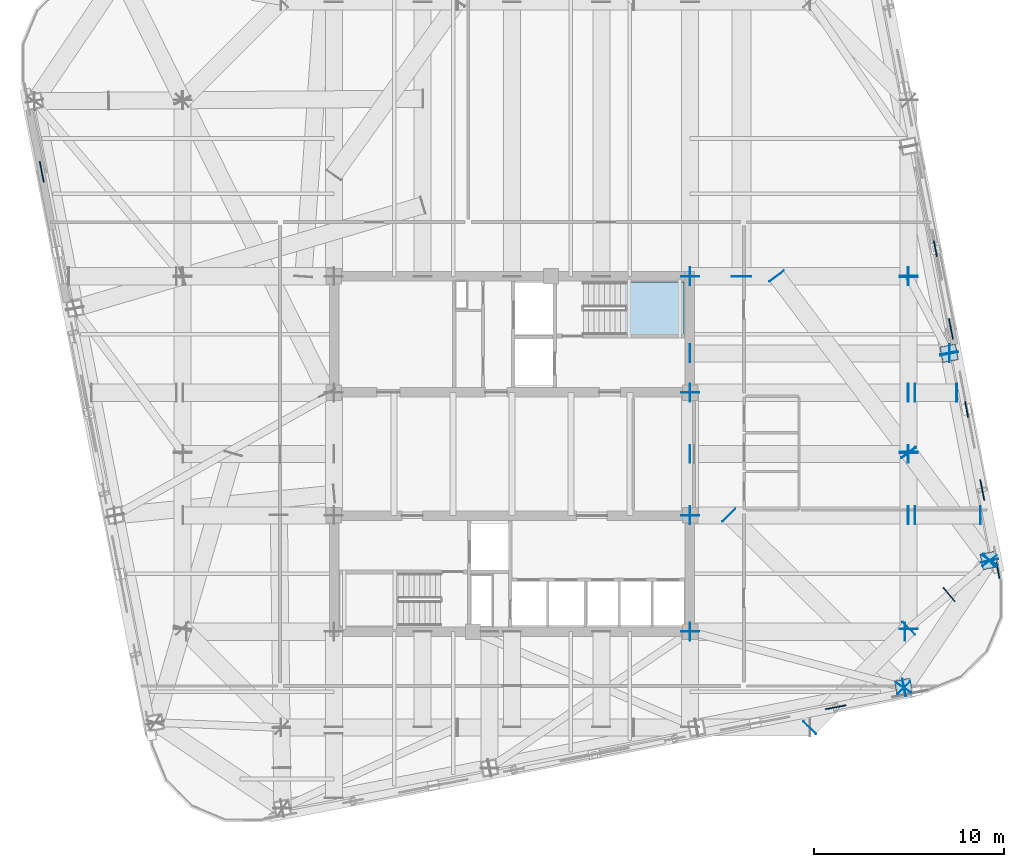
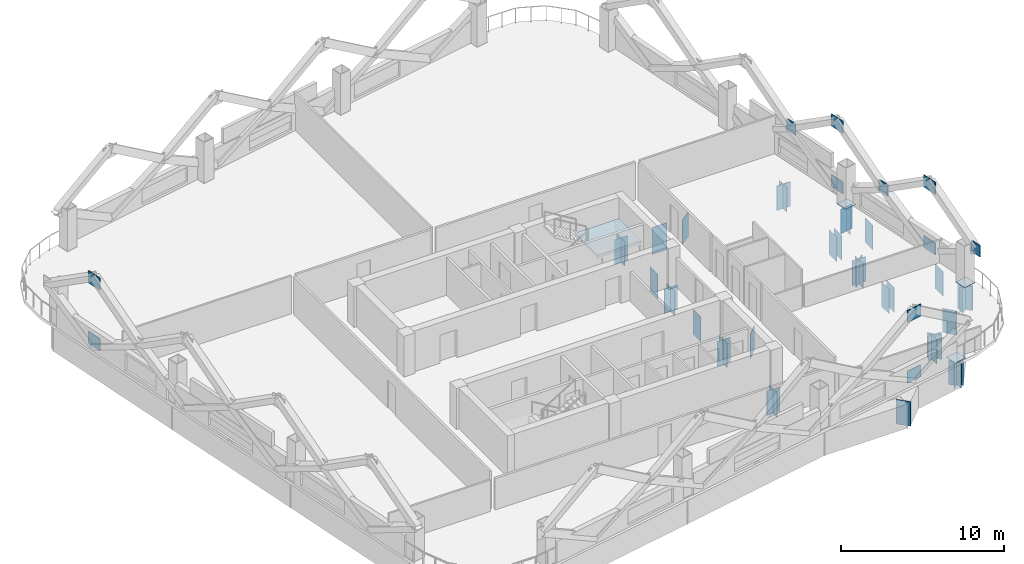
# One storey, part 7 of 14: 56 plates, 1 slab, 1 element without a shape of its own.
"""IFC4 building model written with IfcOpenShell, lengths in metres."""

from ifc_helpers import new_model, si_unit, direction, frame, origin, origin_2d, place, context, subcontext, project, spatial, polyline, rectangle, outline, extrude, material, layer, layer_set, type_object, element, aggregate, save


model = new_model("IFC4")

# Units and contexts
model_context = context("Model", 3, precision=1e-05, world=origin(), true_north=direction((0.0, 1.0)))
body_context = subcontext(model_context, "Body", "Model", "MODEL_VIEW")
ifc_project = project(units=[si_unit("LENGTHUNIT", "METRE"), si_unit("AREAUNIT", "SQUARE_METRE"), si_unit("VOLUMEUNIT", "CUBIC_METRE"), si_unit("PLANEANGLEUNIT", "RADIAN"), si_unit("MASSUNIT", "GRAM", prefix="KILO")], contexts=[model_context])

# Site, building, storey
site_placement = place(None, origin())
site = spatial("IfcSite", under=ifc_project, at=site_placement, CompositionType="ELEMENT")
building_placement = place(site_placement, origin())
building = spatial("IfcBuilding", under=site, at=building_placement, Name="Qhalaya Broadcast Tower", CompositionType="ELEMENT")
storey_placement = place(building_placement, frame((0.0, 0.0, 112.800048828125)))
storey = spatial("IfcBuildingStorey", under=building, at=storey_placement, Name="L32", CompositionType="ELEMENT", Elevation=112.800048828125)

# Plates
ifc_material_1 = material(Name="Structural Steel ASTM A572 Grade 50", Category="steel")
ifc_layer_1 = layer(ifc_material_1, 0.054931640625, Name="Structural Steel ASTM A572 Grade 50")
ifc_layer_set_1 = layer_set([ifc_layer_1], Name="Structural Steel ASTM A572 Grade 50")
plate_type_1 = type_object("IfcPlateType", Name="Exoskeleton Diamond Node Gusset Plate NP-01", PredefinedType="USERDEFINED", material=ifc_layer_set_1)
for number, where, z_axis, x_axis, name in (
    (1, (17.029296875, -12.724609375, 0.2099609375), (0.0, 0.0, 1.0), (0.981627183448, 0.190808995377, 0.0), "Exoskeleton Diamond Node B3-S4-BOT"),
    (2, (17.029296875, -12.724609375, 4.75), (0.0, 0.0, 1.0), (0.981627183448, 0.190808995377, 0.0), "Exoskeleton Diamond Node B3-S4-TOP"),
    (3, (24.74169921875, -1.290283203125, 0.2099609375), (0.0, 0.0, 1.0), (-0.190808995377, 0.981627183448, 0.0), "Exoskeleton Diamond Node B3-E1-BOT"),
    (4, (24.74169921875, -1.290283203125, 4.75), (0.0, 0.0, 1.0), (-0.190808995377, 0.981627183448, 0.0), "Exoskeleton Diamond Node B3-E1-TOP"),
):
    element("IfcPlate", number, at=place(storey_placement, frame(where, z_axis=z_axis, x_axis=x_axis)), inside=storey, type_object=plate_type_1, Name=name, ObjectType="GUSSET_PLATE", PredefinedType="USERDEFINED", context=body_context, shape_type="SweptSolid", body=[
        extrude(rectangle(XDim=1.10009765625, YDim=0.054931640625, at=origin_2d()), origin(), (0.0, 0.0, 1.0), 0.89990234375),
    ])
plate_1_placement = place(storey_placement, frame((25.564697265625, -5.523681640625, 2.264892578125), z_axis=(0.0, 0.0, 1.0), x_axis=(-0.190808995377, 0.981627183448, 0.0)))
element("IfcPlate", 5, at=plate_1_placement, inside=storey, type_object=plate_type_1, Name="Exoskeleton Diamond Node B3-E1-MDL", ObjectType="GUSSET_PLATE", PredefinedType="USERDEFINED", context=body_context, shape_type="SweptSolid", body=[
    extrude(rectangle(XDim=0.85009765625, YDim=0.054931640625, at=origin_2d()), origin(), (0.0, 0.0, 1.0), 0.85009765625),
])
for number, where, z_axis, x_axis, name in (
    (6, (23.095947265625, 7.17626953125, 0.2099609375), (0.0, 0.0, 1.0), (-0.190808995377, 0.981627183448, 0.0), "Exoskeleton Diamond Node B3-E2-BOT"),
    (7, (23.095947265625, 7.17626953125, 4.75), (0.0, 0.0, 1.0), (-0.190808995377, 0.981627183448, 0.0), "Exoskeleton Diamond Node B3-E2-TOP"),
):
    element("IfcPlate", number, at=place(storey_placement, frame(where, z_axis=z_axis, x_axis=x_axis)), inside=storey, type_object=plate_type_1, Name=name, ObjectType="GUSSET_PLATE", PredefinedType="USERDEFINED", context=body_context, shape_type="SweptSolid", body=[
        extrude(rectangle(XDim=1.10009765625, YDim=0.054931640625, at=origin_2d()), origin(), (0.0, 0.0, 1.0), 0.89990234375),
    ])
for number, where, z_axis, x_axis, name in (
    (8, (23.918701171875, 2.94287109375, 2.264892578125), (0.0, 0.0, 1.0), (-0.190808995377, 0.981627183448, 0.0), "Exoskeleton Diamond Node B3-E2-MDL"),
    (9, (22.273193359375, 11.409423828125, 2.264892578125), (0.0, 0.0, 1.0), (-0.190808995377, 0.981627183448, 0.0), "Exoskeleton Diamond Node B3-E3-MDL"),
):
    element("IfcPlate", number, at=place(storey_placement, frame(where, z_axis=z_axis, x_axis=x_axis)), inside=storey, type_object=plate_type_1, Name=name, ObjectType="GUSSET_PLATE", PredefinedType="USERDEFINED", context=body_context, shape_type="SweptSolid", body=[
        extrude(rectangle(XDim=0.85009765625, YDim=0.054931640625, at=origin_2d()), origin(), (0.0, 0.0, 1.0), 0.85009765625),
    ])
for number, where, z_axis, x_axis, name in (
    (10, (-24.74169921875, 15.4501953125, 0.2099609375), (0.0, 0.0, 1.0), (-0.190808995377, 0.981627183448, 0.0), "Exoskeleton Diamond Node B3-W1-BOT"),
    (11, (-24.74169921875, 15.4501953125, 4.75), (0.0, 0.0, 1.0), (-0.190808995377, 0.981627183448, 0.0), "Exoskeleton Diamond Node B3-W1-TOP"),
):
    element("IfcPlate", number, at=place(storey_placement, frame(where, z_axis=z_axis, x_axis=x_axis)), inside=storey, type_object=plate_type_1, Name=name, ObjectType="GUSSET_PLATE", PredefinedType="USERDEFINED", context=body_context, shape_type="SweptSolid", body=[
        extrude(rectangle(XDim=1.10009765625, YDim=0.054931640625, at=origin_2d()), origin(), (0.0, 0.0, 1.0), 0.89990234375),
    ])
ifc_layer_2 = layer(ifc_material_1, 0.4599609375, Name="Structural Steel ASTM A572 Grade 50")
ifc_layer_set_2 = layer_set([ifc_layer_2], Name="Structural Steel ASTM A572 Grade 50")
plate_type_2 = type_object("IfcPlateType", Name="Hollow Box Member End Cap Plate CP-01", PredefinedType="USERDEFINED", material=ifc_layer_set_2)
for number, where, z_axis, x_axis, name in (
    (12, (20.62451171875, -11.67919921875, -2.0400390625), (0.0, 0.0, 1.0), (-0.190808995377, 0.981627183448, 0.0), "L32 Hollow Girder End Cap L32-SPR-03-B"),
    (13, (20.599853515625, -11.69580078125, -2.0400390625), (0.0, 0.0, 1.0), (-0.829037572555, 0.559192903471, 0.0), "L32 Hollow Girder End Cap L32-SPR-04-A"),
    (14, (25.125244140625, -4.986083984375, -2.0400390625), (0.0, 0.0, 1.0), (-0.829037572555, 0.559192903471, 0.0), "L32 Hollow Girder End Cap L32-SPR-04-B"),
    (15, (25.119384765625, -5.01513671875, -2.0400390625), (0.0, 0.0, 1.0), (-0.981627183448, -0.190808995377, 0.0), "L32 Hollow Girder End Cap L32-SPR-05-A"),
    (16, (22.995361328125, 5.912353515625, -2.0400390625), (0.0, 0.0, 1.0), (-0.981627183448, -0.190808995377, 0.0), "L32 Hollow Girder End Cap L32-SPR-05-B"),
    (17, (23.00146484375, 5.880859375, -2.0400390625), (0.0, 0.0, 1.0), (-0.981627183448, -0.190808995377, 0.0), "L32 Hollow Girder End Cap L32-SPR-06-A"),
    (18, (15.65869140625, -13.80126953125, -2.0400390625), (0.0, 0.0, 1.0), (-0.707106781187, 0.707106781187, 0.0), "L32 Hollow Girder End Cap L32-TGL-04-A"),
    (19, (20.88134765625, -8.57861328125, -2.0400390625), (0.0, 0.0, 1.0), (-0.707106781187, 0.707106781187, 0.0), "L32 Hollow Girder End Cap L32-TGL-04-B"),
    (20, (20.8701171875, -8.60595703125, -2.0400390625), (0.0, 0.0, 1.0), (-1.0, 0.0, 0.0), "L32 Hollow Girder End Cap L32-TGL-05-A"),
    (21, (20.8701171875, 0.692626953125, -2.0400390625), (0.0, 0.0, 1.0), (-1.0, 0.0, 0.0), "L32 Hollow Girder End Cap L32-TGL-05-B"),
    (22, (20.8701171875, 0.66064453125, -2.0400390625), (0.0, 0.0, 1.0), (-1.0, 0.0, 0.0), "L32 Hollow Girder End Cap L32-TGL-06-A"),
    (23, (20.8701171875, 9.959228515625, -2.0400390625), (0.0, 0.0, 1.0), (-1.0, 0.0, 0.0), "L32 Hollow Girder End Cap L32-TGL-06-B"),
    (24, (20.8701171875, 9.92724609375, -2.0400390625), (0.0, 0.0, 1.0), (-1.0, 0.0, 0.0), "L32 Hollow Girder End Cap L32-TGL-07-A"),
    (25, (9.375, 9.93408203125, -2.0400390625), (0.0, 0.0, 1.0), (-1.0, 0.0, 0.0), "L32 Hollow Girder End Cap L32-TGINE-1-A"),
    (26, (9.35888671875, 0.60009765625, -2.0400390625), (0.0, 0.0, 1.0), (0.0, 1.0, 0.0), "L32 Hollow Girder End Cap L32-TGIYE-1-A"),
    (27, (20.845947265625, 0.60009765625, -2.0400390625), (0.0, 0.0, 1.0), (0.0, 1.0, 0.0), "L32 Hollow Girder End Cap L32-TGIYE-1-B"),
    (28, (9.375, -8.73388671875, -2.0400390625), (0.0, 0.0, 1.0), (-1.0, 0.0, 0.0), "L32 Hollow Girder End Cap L32-TGISE-1-B"),
    (29, (9.375, -2.64111328125, -2.0400390625), (0.0, 0.0, 1.0), (-1.0, 0.0, 0.0), "L32 Hollow Girder End Cap L32-TGIME-1-A"),
    (30, (9.375, 3.841064453125, -2.0400390625), (0.0, 0.0, 1.0), (-1.0, 0.0, 0.0), "L32 Hollow Girder End Cap L32-TGIME-1-B"),
    (31, (9.35888671875, -8.75, -2.0400390625), (0.0, 0.0, 1.0), (0.0, 1.0, 0.0), "L32 Hollow Girder End Cap L32-TGIY1E-1-A"),
    (32, (20.66943359375, -8.75, -2.0400390625), (0.0, 0.0, 1.0), (0.0, 1.0, 0.0), "L32 Hollow Girder End Cap L32-TGIY1E-1-B"),
    (33, (9.35888671875, -2.625, -2.0400390625), (0.0, 0.0, 1.0), (0.0, 1.0, 0.0), "L32 Hollow Girder End Cap L32-TGIY2E-1-A"),
    (34, (20.845947265625, -2.625, -2.0400390625), (0.0, 0.0, 1.0), (0.0, 1.0, 0.0), "L32 Hollow Girder End Cap L32-TGIY2E-1-B"),
    (35, (9.35888671875, 3.824951171875, -2.0400390625), (0.0, 0.0, 1.0), (0.0, 1.0, 0.0), "L32 Hollow Girder End Cap L32-TGIY3E-1-A"),
    (36, (20.845947265625, 3.824951171875, -2.0400390625), (0.0, 0.0, 1.0), (0.0, 1.0, 0.0), "L32 Hollow Girder End Cap L32-TGIY3E-1-B"),
    (37, (9.35888671875, 9.949951171875, -2.0400390625), (0.0, 0.0, 1.0), (0.0, 1.0, 0.0), "L32 Hollow Girder End Cap L32-TGIY4E-1-A"),
    (38, (20.845947265625, 9.949951171875, -2.0400390625), (0.0, 0.0, 1.0), (0.0, 1.0, 0.0), "L32 Hollow Girder End Cap L32-TGIY4E-1-B"),
    (39, (11.41552734375, -2.61376953125, -2.0400390625), (0.0, 0.0, 1.0), (0.702277314289, 0.711903486321, 0.0), "L32 Hollow Girder End Cap L32-TGA-04-A"),
    (40, (20.6201171875, -11.693603515625, -2.0400390625), (0.0, 0.0, 1.0), (0.702277314289, 0.711903486321, 0.0), "L32 Hollow Girder End Cap L32-TGA-04-B"),
    (41, (13.923095703125, 9.962890625, -2.0400390625), (0.0, 0.0, 1.0), (0.800731370949, 0.599023598516, 0.0), "L32 Hollow Girder End Cap L32-TGA-05-A"),
    (42, (20.879638671875, 0.663818359375, -2.0400390625), (0.0, 0.0, 1.0), (0.800731370949, 0.599023598516, 0.0), "L32 Hollow Girder End Cap L32-TGA-05-B"),
    (43, (20.8603515625, 0.689453125, -2.0400390625), (0.0, 0.0, 1.0), (0.800731370949, 0.599023598516, 0.0), "L32 Hollow Girder End Cap L32-TGC-05-A"),
    (44, (25.1259765625, -5.01220703125, -2.0400390625), (0.0, 0.0, 1.0), (0.800731370949, 0.599023598516, 0.0), "L32 Hollow Girder End Cap L32-TGC-05-B"),
):
    element("IfcPlate", number, at=place(storey_placement, frame(where, z_axis=z_axis, x_axis=x_axis)), inside=storey, type_object=plate_type_2, Name=name, ObjectType="COVER_PLATE", PredefinedType="USERDEFINED", context=body_context, shape_type="SweptSolid", body=[
        extrude(rectangle(XDim=0.93994140625, YDim=0.031982421875, at=origin_2d()), origin(), (0.0, 0.0, 1.0), 1.840087890625),
    ])
plate_2_placement = place(storey_placement, frame((25.1162109375, -4.99951171875, -2.02001953125), z_axis=(0.0, 0.0, 1.0), x_axis=(-0.645684282153, 0.763604483866, 0.0)))
element("IfcPlate", 45, at=plate_2_placement, inside=storey, type_object=plate_type_2, Name="L32 Transfer Box End Cap 05", ObjectType="COVER_PLATE", PredefinedType="USERDEFINED", context=body_context, shape_type="SweptSolid", body=[
    extrude(rectangle(XDim=0.919921875, YDim=0.035888671875, at=origin_2d()), origin(), (0.0, 0.0, 1.0), 1.800048828125),
])
for number, where, z_axis, x_axis, name in (
    (46, (9.35888671875, 5.896484375, -2.0400390625), (0.0, 0.0, 1.0), (0.0, 1.0, 0.0), "L32 Hollow Girder End Cap L32-TGA-06-A"),
    (47, (23.014404296875, 5.896484375, -2.0400390625), (0.0, 0.0, 1.0), (0.0, 1.0, 0.0), "L32 Hollow Girder End Cap L32-TGA-06-B"),
):
    element("IfcPlate", number, at=place(storey_placement, frame(where, z_axis=z_axis, x_axis=x_axis)), inside=storey, type_object=plate_type_2, Name=name, ObjectType="COVER_PLATE", PredefinedType="USERDEFINED", context=body_context, shape_type="SweptSolid", body=[
        extrude(rectangle(XDim=0.93994140625, YDim=0.031982421875, at=origin_2d()), origin(), (0.0, 0.0, 1.0), 1.840087890625),
    ])
plate_3_placement = place(storey_placement, frame((12.07958984375, 9.93408203125, -2.239990234375), z_axis=(0.0, 0.0, 1.0), x_axis=(-1.0, 0.0, 0.0)))
element("IfcPlate", 48, at=plate_3_placement, inside=storey, type_object=plate_type_2, Name="L32 Hollow Girder End Cap L32-TGA-09-A", ObjectType="COVER_PLATE", PredefinedType="USERDEFINED", context=body_context, shape_type="SweptSolid", body=[
    extrude(rectangle(XDim=1.0400390625, YDim=0.031982421875, at=origin_2d()), origin(), (0.0, 0.0, 1.0), 2.0400390625),
])
for number, where, z_axis, x_axis, name in (
    (49, (21.194091796875, -2.625, -2.0400390625), (0.0, 0.0, 1.0), (0.0, 1.0, 0.0), "L32 Hollow Girder End Cap L32-PGYE2-OV1-A"),
    (50, (24.650390625, -2.625, -2.0400390625), (0.0, 0.0, 1.0), (0.0, 1.0, 0.0), "L32 Hollow Girder End Cap L32-PGYE2-OV1-B"),
    (51, (21.194091796875, 3.824951171875, -2.0400390625), (0.0, 0.0, 1.0), (0.0, 1.0, 0.0), "L32 Hollow Girder End Cap L32-PGYE3-OV1-A"),
    (52, (23.396728515625, 3.824951171875, -2.0400390625), (0.0, 0.0, 1.0), (0.0, 1.0, 0.0), "L32 Hollow Girder End Cap L32-PGYE3-OV1-B"),
):
    element("IfcPlate", number, at=place(storey_placement, frame(where, z_axis=z_axis, x_axis=x_axis)), inside=storey, type_object=plate_type_2, Name=name, ObjectType="COVER_PLATE", PredefinedType="USERDEFINED", context=body_context, shape_type="SweptSolid", body=[
        extrude(rectangle(XDim=0.93994140625, YDim=0.031982421875, at=origin_2d()), origin(), (0.0, 0.0, 1.0), 1.840087890625),
    ])
for number, where, z_axis, x_axis, name in (
    (53, (20.608642578125, -11.682373046875, -0.0322265625), (0.0, 0.0, 1.0), (0.981627183448, 0.190808995377, 0.0), "L32 Hollow Box Column Base Cap Plate COL-EX04"),
    (54, (25.1162109375, -4.99951171875, -0.0322265625), (0.0, 0.0, 1.0), (-0.190808995377, 0.981627183448, 0.0), "L32 Hollow Box Column Base Cap Plate COL-EX05"),
    (55, (22.998291015625, 5.896484375, -0.0322265625), (0.0, 0.0, 1.0), (-0.190808995377, 0.981627183448, 0.0), "L32 Hollow Box Column Base Cap Plate COL-EX06"),
):
    element("IfcPlate", number, at=place(storey_placement, frame(where, z_axis=z_axis, x_axis=x_axis)), inside=storey, type_object=plate_type_2, Name=name, ObjectType="COVER_PLATE", PredefinedType="USERDEFINED", context=body_context, shape_type="SweptSolid", body=[
        extrude(rectangle(XDim=0.840087890625, YDim=0.840087890625, at=origin_2d()), origin(), (0.0, 0.0, 1.0), 0.031982421875),
    ])

# Stair, slab
ifc_material_2 = material(Name="Concrete C40/50", Category="concrete")
stair_type = type_object("IfcStairType", Name="Protected Dogleg Core Stair 3150", PredefinedType="TWO_STRAIGHT_RUN_STAIR", material=ifc_material_2)
stair_placement = place(storey_placement, origin())
stair = element("IfcStair", 56, at=stair_placement, inside=storey, type_object=stair_type, Name="L32 North Core Exit Stair ST-1", PredefinedType="TWO_STRAIGHT_RUN_STAIR")
ifc_layer_3 = layer(ifc_material_2, 0.199951171875, Name="Concrete C40/50")
ifc_layer_set_3 = layer_set([ifc_layer_3], Name="Concrete C40/50")
slab_type = type_object("IfcSlabType", Name="Stair & Ramp Half-Landing Slab 200", PredefinedType="LANDING", material=ifc_layer_set_3)
slab_placement = place(storey_placement, frame((0.0, 0.0, 1.324951171875)))
slab = element("IfcSlab", 57, at=slab_placement, type_object=slab_type, Name="ST-1 landing 1", PredefinedType="LANDING", context=body_context, shape_type="SweptSolid", body=[
    extrude(outline(polyline([(5.955078125, 6.8798828125), (9.050048828125, 6.8798828125), (9.050048828125, 9.639892578125), (5.955078125, 9.639892578125), (5.955078125, 6.8798828125)])), origin(), (0.0, 0.0, 1.0), 0.199951171875),
])
aggregate(stair, [slab])

# Plate
ifc_layer_4 = layer(ifc_material_1, 0.044921875, Name="Structural Steel ASTM A572 Grade 50")
ifc_layer_set_4 = layer_set([ifc_layer_4], Name="Structural Steel ASTM A572 Grade 50")
plate_type_3 = type_object("IfcPlateType", Name="Transfer Girder Web Stiffener Plate WS-01", PredefinedType="USERDEFINED", material=ifc_layer_set_4)
plate_4_placement = place(storey_placement, frame((22.9931640625, -6.794921875, -2.02001953125), z_axis=(0.0, 0.0, 1.0), x_axis=(-0.645684282153, 0.763604483866, 0.0)))
element("IfcPlate", 58, at=plate_4_placement, inside=storey, type_object=plate_type_3, Name="L32 Transfer Girder Stiffener 05", ObjectType="STIFFENER_PLATE", PredefinedType="USERDEFINED", context=body_context, shape_type="SweptSolid", body=[
    extrude(rectangle(XDim=0.93994140625, YDim=0.044921875, at=origin_2d()), origin(), (0.0, 0.0, 1.0), 1.800048828125),
])

save(model, "model.ifc")
